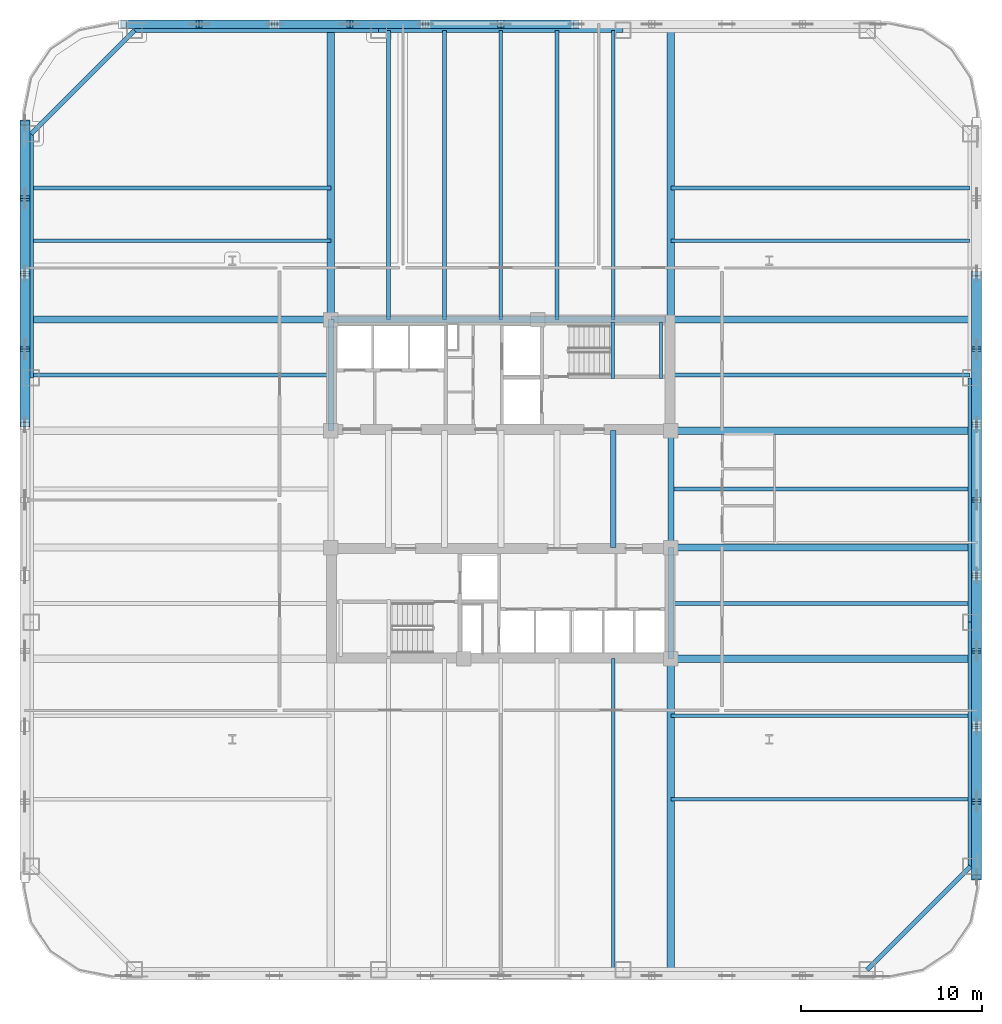
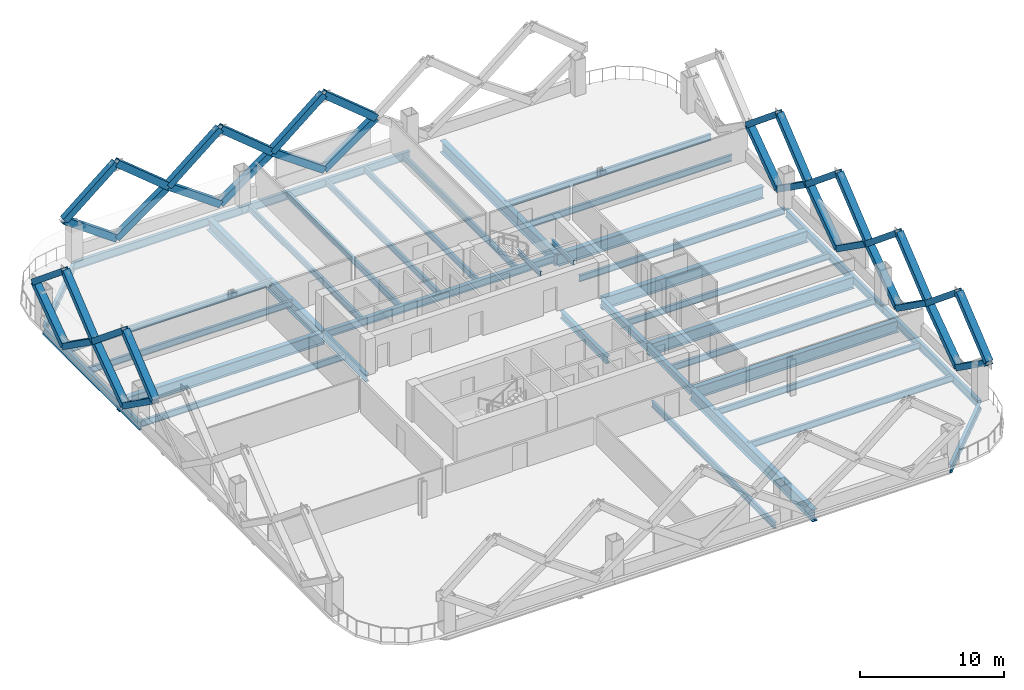
# One storey, part 2 of 12: 38 beams, 36 members.
"""IFC4 building model written with IfcOpenShell, lengths in metres."""

from ifc_helpers import new_model, si_unit, direction, frame, origin, origin_2d, place, context, subcontext, project, spatial, hollow_rectangle, i_section, extrude, material, material_profile, profile_set, type_object, element, save


model = new_model("IFC4")

# Units and contexts
model_context = context("Model", 3, precision=1e-05, world=origin(), true_north=direction((0.0, 1.0)))
body_context = subcontext(model_context, "Body", "Model", "MODEL_VIEW")
ifc_project = project(units=[si_unit("LENGTHUNIT", "METRE"), si_unit("AREAUNIT", "SQUARE_METRE"), si_unit("VOLUMEUNIT", "CUBIC_METRE"), si_unit("PLANEANGLEUNIT", "RADIAN"), si_unit("MASSUNIT", "GRAM", prefix="KILO")], contexts=[model_context])

# Site, building, storey
site_placement = place(None, origin())
site = spatial("IfcSite", under=ifc_project, at=site_placement, CompositionType="ELEMENT")
building_placement = place(site_placement, origin())
building = spatial("IfcBuilding", under=site, at=building_placement, Name="Qhalaya Broadcast Tower", CompositionType="ELEMENT")
storey_placement = place(building_placement, frame((0.0, 0.0, 50.5)))
storey = spatial("IfcBuildingStorey", under=building, at=storey_placement, Name="L14", CompositionType="ELEMENT", Elevation=50.5)

# Beams
ifc_material_1 = material(Name="Structural Steel ASTM A992 Grade 50", Category="steel")
ifc_material_profile_1 = material_profile(ifc_material_1, i_section(OverallWidth=0.2099609375, OverallDepth=0.535888671875, WebThickness=0.010986328125, FlangeThickness=0.017333984375, at=origin_2d()), Name="W21X68")
ifc_profile_set_1 = profile_set([ifc_material_profile_1], Name="Structural Steel ASTM A992 Grade 50")
beam_type_1 = type_object("IfcBeamType", Name="Composite Floor Joist J02", PredefinedType="JOIST", material=ifc_profile_set_1)
for number, where, z_axis, x_axis, name in (
    (1, (-6.199951171875, 9.949951171875, -0.488037109375), (0.0, 1.0, 0.0), (-1.0, 0.0, 0.0), "L14 J02 L14-JNN1-1"),
    (2, (-3.10009765625, 9.949951171875, -0.488037109375), (0.0, 1.0, 0.0), (-1.0, 0.0, 0.0), "L14 J02 L14-JNN2-1"),
    (3, (0.0, 9.949951171875, -0.488037109375), (0.0, 1.0, 0.0), (-1.0, 0.0, 0.0), "L14 J02 L14-JNN3-1"),
    (4, (3.10009765625, 9.949951171875, -0.488037109375), (0.0, 1.0, 0.0), (-1.0, 0.0, 0.0), "L14 J02 L14-JNN4-1"),
):
    element("IfcBeam", number, at=place(storey_placement, frame(where, z_axis=z_axis, x_axis=x_axis)), inside=storey, type_object=beam_type_1, Name=name, PredefinedType="JOIST", context=body_context, shape_type="SweptSolid", body=[
        extrude(i_section(OverallWidth=0.2099609375, OverallDepth=0.535888671875, WebThickness=0.010986328125, FlangeThickness=0.017333984375, at=origin_2d()), origin(), (0.0, 0.0, 1.0), 15.929931640625),
    ])
beam_1_placement = place(storey_placement, frame((6.199951171875, -25.8798828125, -0.488037109375), z_axis=(0.0, 1.0, 0.0), x_axis=(-1.0, 0.0, 0.0)))
element("IfcBeam", 5, at=beam_1_placement, inside=storey, type_object=beam_type_1, Name="L14 J02 L14-JNS5-1", PredefinedType="JOIST", context=body_context, shape_type="SweptSolid", body=[
    extrude(i_section(OverallWidth=0.2099609375, OverallDepth=0.535888671875, WebThickness=0.010986328125, FlangeThickness=0.017333984375, at=origin_2d()), origin(), (0.0, 0.0, 1.0), 17.1298828125),
])
beam_2_placement = place(storey_placement, frame((6.199951171875, 9.949951171875, -0.488037109375), z_axis=(0.0, 1.0, 0.0), x_axis=(-1.0, 0.0, 0.0)))
element("IfcBeam", 6, at=beam_2_placement, inside=storey, type_object=beam_type_1, Name="L14 J02 L14-JNN5-1", PredefinedType="JOIST", context=body_context, shape_type="SweptSolid", body=[
    extrude(i_section(OverallWidth=0.2099609375, OverallDepth=0.535888671875, WebThickness=0.010986328125, FlangeThickness=0.017333984375, at=origin_2d()), origin(), (0.0, 0.0, 1.0), 15.929931640625),
])
for number, where, z_axis, x_axis, name in (
    (7, (9.375, -16.5, -0.488037109375), (1.0, 0.0, 0.0), (0.0, 1.0, 0.0), "L14 J02 L14-JWE1E-1"),
    (8, (9.375, -11.89990234375, -0.488037109375), (1.0, 0.0, 0.0), (0.0, 1.0, 0.0), "L14 J02 L14-JWE2E-1"),
    (9, (9.375, -5.699951171875, -0.488037109375), (1.0, 0.0, 0.0), (0.0, 1.0, 0.0), "L14 J02 L14-JWE3E-1"),
    (10, (9.375, 0.60009765625, -0.488037109375), (1.0, 0.0, 0.0), (0.0, 1.0, 0.0), "L14 J02 L14-JWE4E-1"),
    (11, (-25.8798828125, 6.89990234375, -0.488037109375), (1.0, 0.0, 0.0), (0.0, 1.0, 0.0), "L14 J02 L14-JWE5W-1"),
    (12, (9.375, 6.89990234375, -0.488037109375), (1.0, 0.0, 0.0), (0.0, 1.0, 0.0), "L14 J02 L14-JWE5E-1"),
    (13, (-25.8798828125, 14.300048828125, -0.488037109375), (1.0, 0.0, 0.0), (0.0, 1.0, 0.0), "L14 J02 L14-JWE6W-1"),
    (14, (9.375, 14.300048828125, -0.488037109375), (1.0, 0.0, 0.0), (0.0, 1.0, 0.0), "L14 J02 L14-JWE6E-1"),
    (15, (-25.8798828125, 17.199951171875, -0.488037109375), (1.0, 0.0, 0.0), (0.0, 1.0, 0.0), "L14 J02 L14-JWE7W-1"),
    (16, (9.375, 17.199951171875, -0.488037109375), (1.0, 0.0, 0.0), (0.0, 1.0, 0.0), "L14 J02 L14-JWE7E-1"),
):
    element("IfcBeam", number, at=place(storey_placement, frame(where, z_axis=z_axis, x_axis=x_axis)), inside=storey, type_object=beam_type_1, Name=name, PredefinedType="JOIST", context=body_context, shape_type="SweptSolid", body=[
        extrude(i_section(OverallWidth=0.2099609375, OverallDepth=0.535888671875, WebThickness=0.010986328125, FlangeThickness=0.017333984375, at=origin_2d()), origin(), (0.0, 0.0, 1.0), 16.5048828125),
    ])
ifc_material_profile_2 = material_profile(ifc_material_1, i_section(OverallWidth=0.323974609375, OverallDepth=0.612060546875, WebThickness=0.0126953125, FlangeThickness=0.01904296875, at=origin_2d()), Name="W24X104")
ifc_profile_set_2 = profile_set([ifc_material_profile_2], Name="Structural Steel ASTM A992 Grade 50")
beam_type_2 = type_object("IfcBeamType", Name="Core Frame Tie Beam B04", PredefinedType="BEAM", material=ifc_profile_set_2)
beam_3_placement = place(storey_placement, frame((-9.375, 3.824951171875, -0.52587890625), z_axis=(0.0, 1.0, 0.0), x_axis=(-1.0, 0.0, 0.0)))
element("IfcBeam", 17, at=beam_3_placement, inside=storey, type_object=beam_type_2, Name="L14 B04 L14-CCN2", PredefinedType="BEAM", context=body_context, shape_type="SweptSolid", body=[
    extrude(i_section(OverallWidth=0.323974609375, OverallDepth=0.612060546875, WebThickness=0.0126953125, FlangeThickness=0.01904296875, at=origin_2d()), origin(), (0.0, 0.0, 1.0), 6.125),
])
beam_4_placement = place(storey_placement, frame((-9.375, 9.949951171875, -0.52587890625), z_axis=(1.0, 0.0, 0.0), x_axis=(0.0, 1.0, 0.0)))
element("IfcBeam", 18, at=beam_4_placement, inside=storey, type_object=beam_type_2, Name="L14 B04 L14-CCN3", PredefinedType="BEAM", context=body_context, shape_type="SweptSolid", body=[
    extrude(i_section(OverallWidth=0.323974609375, OverallDepth=0.612060546875, WebThickness=0.0126953125, FlangeThickness=0.01904296875, at=origin_2d()), origin(), (0.0, 0.0, 1.0), 18.4951171875),
])
beam_5_placement = place(storey_placement, frame((9.375, -8.75, -0.52587890625), z_axis=(0.0, 1.0, 0.0), x_axis=(-1.0, 0.0, 0.0)))
element("IfcBeam", 19, at=beam_5_placement, inside=storey, type_object=beam_type_2, Name="L14 B04 L14-CCS2", PredefinedType="BEAM", context=body_context, shape_type="SweptSolid", body=[
    extrude(i_section(OverallWidth=0.323974609375, OverallDepth=0.612060546875, WebThickness=0.0126953125, FlangeThickness=0.01904296875, at=origin_2d()), origin(), (0.0, 0.0, 1.0), 6.125),
])
for number, where, z_axis, x_axis, name in (
    (20, (9.375, -2.625, -0.52587890625), (0.0, 1.0, 0.0), (-1.0, 0.0, 0.0), "L14 B04 L14-CCE"),
    (21, (6.199951171875, -2.625, -0.52587890625), (0.0, 1.0, 0.0), (-1.0, 0.0, 0.0), "L14 B04 L14-JC5-1"),
):
    element("IfcBeam", number, at=place(storey_placement, frame(where, z_axis=z_axis, x_axis=x_axis)), inside=storey, type_object=beam_type_2, Name=name, PredefinedType="BEAM", context=body_context, shape_type="SweptSolid", body=[
        extrude(i_section(OverallWidth=0.323974609375, OverallDepth=0.612060546875, WebThickness=0.0126953125, FlangeThickness=0.01904296875, at=origin_2d()), origin(), (0.0, 0.0, 1.0), 6.449951171875),
    ])

# Members
ifc_material_2 = material(Name="Structural Steel ASTM A572 Grade 50", Category="steel")
ifc_material_profile_3 = material_profile(ifc_material_2, hollow_rectangle(XDim=0.449951171875, YDim=0.550048828125, WallThickness=0.031982421875, at=origin_2d()), Name="BOX 450x550x32")
ifc_profile_set_3 = profile_set([ifc_material_profile_3], Name="Structural Steel ASTM A572 Grade 50")
member_type = type_object("IfcMemberType", Name="Exoskeleton Diamond Diagonal Lower EX1", PredefinedType="BRACE", material=ifc_profile_set_3)
member_1_placement = place(storey_placement, frame((26.239990234375, -16.639892578125, 0.360107421875), z_axis=(0.0, -0.815730837628, 0.578431673184), x_axis=(0.0, 0.578431673184, 0.815730837628)))
element("IfcMember", 22, at=member_1_placement, inside=storey, type_object=member_type, Name="B1 Exoskeleton Diamond Brace E1-D1", PredefinedType="BRACE", context=body_context, shape_type="SweptSolid", body=[
    extrude(hollow_rectangle(XDim=0.449951171875, YDim=0.550048828125, WallThickness=0.031982421875, at=origin_2d()), origin(), (0.0, 0.0, 1.0), 5.099853515625),
])
member_2_placement = place(storey_placement, frame((26.239990234375, -16.639892578125, 0.360107421875), z_axis=(0.0, 0.815714819681, 0.578454261764), x_axis=(0.0, -0.578454261764, 0.815714819681)))
element("IfcMember", 23, at=member_2_placement, inside=storey, type_object=member_type, Name="B1 Exoskeleton Diamond Brace E1-D2", PredefinedType="BRACE", context=body_context, shape_type="SweptSolid", body=[
    extrude(hollow_rectangle(XDim=0.449951171875, YDim=0.550048828125, WallThickness=0.031982421875, at=origin_2d()), origin(), (0.0, 0.0, 1.0), 5.099609375),
])
member_3_placement = place(storey_placement, frame((26.239990234375, -20.800048828125, 3.31005859375), z_axis=(0.0, 0.771573287976, 0.636140441477), x_axis=(0.0, -0.636140441477, 0.771573287976)))
element("IfcMember", 24, at=member_3_placement, inside=storey, type_object=member_type, Name="B1 Exoskeleton Diamond Brace E1-D3", PredefinedType="BRACE", context=body_context, shape_type="SweptSolid", body=[
    extrude(hollow_rectangle(XDim=0.449951171875, YDim=0.550048828125, WallThickness=0.031982421875, at=origin_2d()), origin(), (0.0, 0.0, 1.0), 5.391845703125),
])
member_4_placement = place(storey_placement, frame((26.239990234375, -12.47998046875, 3.31005859375), z_axis=(0.0, -0.771554963297, 0.636162666786), x_axis=(0.0, 0.636162666786, 0.771554963297)))
element("IfcMember", 25, at=member_4_placement, inside=storey, type_object=member_type, Name="B1 Exoskeleton Diamond Brace E1-D4", PredefinedType="BRACE", context=body_context, shape_type="SweptSolid", body=[
    extrude(hollow_rectangle(XDim=0.449951171875, YDim=0.550048828125, WallThickness=0.031982421875, at=origin_2d()), origin(), (0.0, 0.0, 1.0), 5.3916015625),
])
member_5_placement = place(storey_placement, frame((26.239990234375, -8.320068359375, 0.360107421875), z_axis=(0.0, -0.815714819681, 0.578454261764), x_axis=(0.0, 0.578454261764, 0.815714819681)))
element("IfcMember", 26, at=member_5_placement, inside=storey, type_object=member_type, Name="B1 Exoskeleton Diamond Brace E2-D1", PredefinedType="BRACE", context=body_context, shape_type="SweptSolid", body=[
    extrude(hollow_rectangle(XDim=0.449951171875, YDim=0.550048828125, WallThickness=0.031982421875, at=origin_2d()), origin(), (0.0, 0.0, 1.0), 5.099609375),
])
member_6_placement = place(storey_placement, frame((26.239990234375, -8.320068359375, 0.360107421875), z_axis=(0.0, 0.815730837628, 0.578431673184), x_axis=(0.0, -0.578431673184, 0.815730837628)))
element("IfcMember", 27, at=member_6_placement, inside=storey, type_object=member_type, Name="B1 Exoskeleton Diamond Brace E2-D2", PredefinedType="BRACE", context=body_context, shape_type="SweptSolid", body=[
    extrude(hollow_rectangle(XDim=0.449951171875, YDim=0.550048828125, WallThickness=0.031982421875, at=origin_2d()), origin(), (0.0, 0.0, 1.0), 5.099853515625),
])
member_7_placement = place(storey_placement, frame((26.239990234375, -12.47998046875, 3.31005859375), z_axis=(0.0, 0.771554963297, 0.636162666786), x_axis=(0.0, -0.636162666786, 0.771554963297)))
element("IfcMember", 28, at=member_7_placement, inside=storey, type_object=member_type, Name="B1 Exoskeleton Diamond Brace E2-D3", PredefinedType="BRACE", context=body_context, shape_type="SweptSolid", body=[
    extrude(hollow_rectangle(XDim=0.449951171875, YDim=0.550048828125, WallThickness=0.031982421875, at=origin_2d()), origin(), (0.0, 0.0, 1.0), 5.3916015625),
])
member_8_placement = place(storey_placement, frame((26.239990234375, -4.159912109375, 3.31005859375), z_axis=(0.0, -0.771573287976, 0.636140441477), x_axis=(0.0, 0.636140441477, 0.771573287976)))
element("IfcMember", 29, at=member_8_placement, inside=storey, type_object=member_type, Name="B1 Exoskeleton Diamond Brace E2-D4", PredefinedType="BRACE", context=body_context, shape_type="SweptSolid", body=[
    extrude(hollow_rectangle(XDim=0.449951171875, YDim=0.550048828125, WallThickness=0.031982421875, at=origin_2d()), origin(), (0.0, 0.0, 1.0), 5.391845703125),
])
for number, where, z_axis, x_axis, name in (
    (30, (26.239990234375, 0.0, 0.360107421875), (0.0, -0.815714819681, 0.578454261764), (0.0, 0.578454261764, 0.815714819681), "B1 Exoskeleton Diamond Brace E3-D1"),
    (31, (26.239990234375, 0.0, 0.360107421875), (0.0, 0.815714819681, 0.578454261764), (0.0, -0.578454261764, 0.815714819681), "B1 Exoskeleton Diamond Brace E3-D2"),
):
    element("IfcMember", number, at=place(storey_placement, frame(where, z_axis=z_axis, x_axis=x_axis)), inside=storey, type_object=member_type, Name=name, PredefinedType="BRACE", context=body_context, shape_type="SweptSolid", body=[
        extrude(hollow_rectangle(XDim=0.449951171875, YDim=0.550048828125, WallThickness=0.031982421875, at=origin_2d()), origin(), (0.0, 0.0, 1.0), 5.099609375),
    ])
for number, where, z_axis, x_axis, name in (
    (32, (26.239990234375, -4.159912109375, 3.31005859375), (0.0, 0.771554963297, 0.636162666786), (0.0, -0.636162666786, 0.771554963297), "B1 Exoskeleton Diamond Brace E3-D3"),
    (33, (26.239990234375, 4.159912109375, 3.31005859375), (0.0, -0.771554963297, 0.636162666786), (0.0, 0.636162666786, 0.771554963297), "B1 Exoskeleton Diamond Brace E3-D4"),
):
    element("IfcMember", number, at=place(storey_placement, frame(where, z_axis=z_axis, x_axis=x_axis)), inside=storey, type_object=member_type, Name=name, PredefinedType="BRACE", context=body_context, shape_type="SweptSolid", body=[
        extrude(hollow_rectangle(XDim=0.449951171875, YDim=0.550048828125, WallThickness=0.031982421875, at=origin_2d()), origin(), (0.0, 0.0, 1.0), 5.3916015625),
    ])
member_9_placement = place(storey_placement, frame((26.239990234375, 8.320068359375, 0.360107421875), z_axis=(0.0, -0.815730837628, 0.578431673184), x_axis=(0.0, 0.578431673184, 0.815730837628)))
element("IfcMember", 34, at=member_9_placement, inside=storey, type_object=member_type, Name="B1 Exoskeleton Diamond Brace E4-D1", PredefinedType="BRACE", context=body_context, shape_type="SweptSolid", body=[
    extrude(hollow_rectangle(XDim=0.449951171875, YDim=0.550048828125, WallThickness=0.031982421875, at=origin_2d()), origin(), (0.0, 0.0, 1.0), 5.099853515625),
])
member_10_placement = place(storey_placement, frame((26.239990234375, 8.320068359375, 0.360107421875), z_axis=(0.0, 0.815714819681, 0.578454261764), x_axis=(0.0, -0.578454261764, 0.815714819681)))
element("IfcMember", 35, at=member_10_placement, inside=storey, type_object=member_type, Name="B1 Exoskeleton Diamond Brace E4-D2", PredefinedType="BRACE", context=body_context, shape_type="SweptSolid", body=[
    extrude(hollow_rectangle(XDim=0.449951171875, YDim=0.550048828125, WallThickness=0.031982421875, at=origin_2d()), origin(), (0.0, 0.0, 1.0), 5.099609375),
])
member_11_placement = place(storey_placement, frame((26.239990234375, 4.159912109375, 3.31005859375), z_axis=(0.0, 0.771573287976, 0.636140441477), x_axis=(0.0, -0.636140441477, 0.771573287976)))
element("IfcMember", 36, at=member_11_placement, inside=storey, type_object=member_type, Name="B1 Exoskeleton Diamond Brace E4-D3", PredefinedType="BRACE", context=body_context, shape_type="SweptSolid", body=[
    extrude(hollow_rectangle(XDim=0.449951171875, YDim=0.550048828125, WallThickness=0.031982421875, at=origin_2d()), origin(), (0.0, 0.0, 1.0), 5.391845703125),
])
member_12_placement = place(storey_placement, frame((26.239990234375, 12.47998046875, 3.31005859375), z_axis=(0.0, -0.771554963297, 0.636162666786), x_axis=(0.0, 0.636162666786, 0.771554963297)))
element("IfcMember", 37, at=member_12_placement, inside=storey, type_object=member_type, Name="B1 Exoskeleton Diamond Brace E4-D4", PredefinedType="BRACE", context=body_context, shape_type="SweptSolid", body=[
    extrude(hollow_rectangle(XDim=0.449951171875, YDim=0.550048828125, WallThickness=0.031982421875, at=origin_2d()), origin(), (0.0, 0.0, 1.0), 5.3916015625),
])
for number, where, z_axis, x_axis, name in (
    (38, (0.0, 26.239990234375, 0.360107421875), (0.815714819681, 0.0, 0.578454261764), (0.0, 1.0, 0.0), "B1 Exoskeleton Diamond Brace N3-D1"),
    (39, (0.0, 26.239990234375, 0.360107421875), (-0.815714819681, 0.0, 0.578454261764), (0.0, -1.0, 0.0), "B1 Exoskeleton Diamond Brace N3-D2"),
):
    element("IfcMember", number, at=place(storey_placement, frame(where, z_axis=z_axis, x_axis=x_axis)), inside=storey, type_object=member_type, Name=name, PredefinedType="BRACE", context=body_context, shape_type="SweptSolid", body=[
        extrude(hollow_rectangle(XDim=0.449951171875, YDim=0.550048828125, WallThickness=0.031982421875, at=origin_2d()), origin(), (0.0, 0.0, 1.0), 5.099609375),
    ])
for number, where, z_axis, x_axis, name in (
    (40, (4.159912109375, 26.239990234375, 3.31005859375), (-0.771554963297, 0.0, 0.636162666786), (0.0, -1.0, 0.0), "B1 Exoskeleton Diamond Brace N3-D3"),
    (41, (-4.159912109375, 26.239990234375, 3.31005859375), (0.771554963297, 0.0, 0.636162666786), (0.0, 1.0, 0.0), "B1 Exoskeleton Diamond Brace N3-D4"),
):
    element("IfcMember", number, at=place(storey_placement, frame(where, z_axis=z_axis, x_axis=x_axis)), inside=storey, type_object=member_type, Name=name, PredefinedType="BRACE", context=body_context, shape_type="SweptSolid", body=[
        extrude(hollow_rectangle(XDim=0.449951171875, YDim=0.550048828125, WallThickness=0.031982421875, at=origin_2d()), origin(), (0.0, 0.0, 1.0), 5.3916015625),
    ])
member_13_placement = place(storey_placement, frame((-8.320068359375, 26.239990234375, 0.360107421875), z_axis=(0.815730837628, 0.0, 0.578431673184), x_axis=(0.0, 1.0, 0.0)))
element("IfcMember", 42, at=member_13_placement, inside=storey, type_object=member_type, Name="B1 Exoskeleton Diamond Brace N4-D1", PredefinedType="BRACE", context=body_context, shape_type="SweptSolid", body=[
    extrude(hollow_rectangle(XDim=0.449951171875, YDim=0.550048828125, WallThickness=0.031982421875, at=origin_2d()), origin(), (0.0, 0.0, 1.0), 5.099853515625),
])
member_14_placement = place(storey_placement, frame((-8.320068359375, 26.239990234375, 0.360107421875), z_axis=(-0.815714819681, 0.0, 0.578454261764), x_axis=(0.0, -1.0, 0.0)))
element("IfcMember", 43, at=member_14_placement, inside=storey, type_object=member_type, Name="B1 Exoskeleton Diamond Brace N4-D2", PredefinedType="BRACE", context=body_context, shape_type="SweptSolid", body=[
    extrude(hollow_rectangle(XDim=0.449951171875, YDim=0.550048828125, WallThickness=0.031982421875, at=origin_2d()), origin(), (0.0, 0.0, 1.0), 5.099609375),
])
member_15_placement = place(storey_placement, frame((-4.159912109375, 26.239990234375, 3.31005859375), z_axis=(-0.771573287976, 0.0, 0.636140441477), x_axis=(0.0, -1.0, 0.0)))
element("IfcMember", 44, at=member_15_placement, inside=storey, type_object=member_type, Name="B1 Exoskeleton Diamond Brace N4-D3", PredefinedType="BRACE", context=body_context, shape_type="SweptSolid", body=[
    extrude(hollow_rectangle(XDim=0.449951171875, YDim=0.550048828125, WallThickness=0.031982421875, at=origin_2d()), origin(), (0.0, 0.0, 1.0), 5.391845703125),
])
member_16_placement = place(storey_placement, frame((-12.47998046875, 26.239990234375, 3.31005859375), z_axis=(0.771554963297, 0.0, 0.636162666786), x_axis=(0.0, 1.0, 0.0)))
element("IfcMember", 45, at=member_16_placement, inside=storey, type_object=member_type, Name="B1 Exoskeleton Diamond Brace N4-D4", PredefinedType="BRACE", context=body_context, shape_type="SweptSolid", body=[
    extrude(hollow_rectangle(XDim=0.449951171875, YDim=0.550048828125, WallThickness=0.031982421875, at=origin_2d()), origin(), (0.0, 0.0, 1.0), 5.3916015625),
])
member_17_placement = place(storey_placement, frame((-16.639892578125, 26.239990234375, 0.360107421875), z_axis=(0.815714819681, 0.0, 0.578454261764), x_axis=(0.0, 1.0, 0.0)))
element("IfcMember", 46, at=member_17_placement, inside=storey, type_object=member_type, Name="B1 Exoskeleton Diamond Brace N5-D1", PredefinedType="BRACE", context=body_context, shape_type="SweptSolid", body=[
    extrude(hollow_rectangle(XDim=0.449951171875, YDim=0.550048828125, WallThickness=0.031982421875, at=origin_2d()), origin(), (0.0, 0.0, 1.0), 5.099609375),
])
member_18_placement = place(storey_placement, frame((-16.639892578125, 26.239990234375, 0.360107421875), z_axis=(-0.815730837628, 0.0, 0.578431673184), x_axis=(0.0, -1.0, 0.0)))
element("IfcMember", 47, at=member_18_placement, inside=storey, type_object=member_type, Name="B1 Exoskeleton Diamond Brace N5-D2", PredefinedType="BRACE", context=body_context, shape_type="SweptSolid", body=[
    extrude(hollow_rectangle(XDim=0.449951171875, YDim=0.550048828125, WallThickness=0.031982421875, at=origin_2d()), origin(), (0.0, 0.0, 1.0), 5.099853515625),
])
member_19_placement = place(storey_placement, frame((-12.47998046875, 26.239990234375, 3.31005859375), z_axis=(-0.771554963297, 0.0, 0.636162666786), x_axis=(0.0, -1.0, 0.0)))
element("IfcMember", 48, at=member_19_placement, inside=storey, type_object=member_type, Name="B1 Exoskeleton Diamond Brace N5-D3", PredefinedType="BRACE", context=body_context, shape_type="SweptSolid", body=[
    extrude(hollow_rectangle(XDim=0.449951171875, YDim=0.550048828125, WallThickness=0.031982421875, at=origin_2d()), origin(), (0.0, 0.0, 1.0), 5.3916015625),
])
member_20_placement = place(storey_placement, frame((-20.800048828125, 26.239990234375, 3.31005859375), z_axis=(0.771573287976, 0.0, 0.636140441477), x_axis=(0.0, 1.0, 0.0)))
element("IfcMember", 49, at=member_20_placement, inside=storey, type_object=member_type, Name="B1 Exoskeleton Diamond Brace N5-D4", PredefinedType="BRACE", context=body_context, shape_type="SweptSolid", body=[
    extrude(hollow_rectangle(XDim=0.449951171875, YDim=0.550048828125, WallThickness=0.031982421875, at=origin_2d()), origin(), (0.0, 0.0, 1.0), 5.391845703125),
])
member_21_placement = place(storey_placement, frame((-26.239990234375, 16.639892578125, 0.360107421875), z_axis=(0.0, 0.815730837628, 0.578431673184), x_axis=(0.0, -0.578431673184, 0.815730837628)))
element("IfcMember", 50, at=member_21_placement, inside=storey, type_object=member_type, Name="B1 Exoskeleton Diamond Brace W1-D1", PredefinedType="BRACE", context=body_context, shape_type="SweptSolid", body=[
    extrude(hollow_rectangle(XDim=0.449951171875, YDim=0.550048828125, WallThickness=0.031982421875, at=origin_2d()), origin(), (0.0, 0.0, 1.0), 5.099853515625),
])
member_22_placement = place(storey_placement, frame((-26.239990234375, 16.639892578125, 0.360107421875), z_axis=(0.0, -0.815714819681, 0.578454261764), x_axis=(0.0, 0.578454261764, 0.815714819681)))
element("IfcMember", 51, at=member_22_placement, inside=storey, type_object=member_type, Name="B1 Exoskeleton Diamond Brace W1-D2", PredefinedType="BRACE", context=body_context, shape_type="SweptSolid", body=[
    extrude(hollow_rectangle(XDim=0.449951171875, YDim=0.550048828125, WallThickness=0.031982421875, at=origin_2d()), origin(), (0.0, 0.0, 1.0), 5.099609375),
])
member_23_placement = place(storey_placement, frame((-26.239990234375, 20.800048828125, 3.31005859375), z_axis=(0.0, -0.771573287976, 0.636140441477), x_axis=(0.0, 0.636140441477, 0.771573287976)))
element("IfcMember", 52, at=member_23_placement, inside=storey, type_object=member_type, Name="B1 Exoskeleton Diamond Brace W1-D3", PredefinedType="BRACE", context=body_context, shape_type="SweptSolid", body=[
    extrude(hollow_rectangle(XDim=0.449951171875, YDim=0.550048828125, WallThickness=0.031982421875, at=origin_2d()), origin(), (0.0, 0.0, 1.0), 5.391845703125),
])
member_24_placement = place(storey_placement, frame((-26.239990234375, 12.47998046875, 3.31005859375), z_axis=(0.0, 0.771554963297, 0.636162666786), x_axis=(0.0, -0.636162666786, 0.771554963297)))
element("IfcMember", 53, at=member_24_placement, inside=storey, type_object=member_type, Name="B1 Exoskeleton Diamond Brace W1-D4", PredefinedType="BRACE", context=body_context, shape_type="SweptSolid", body=[
    extrude(hollow_rectangle(XDim=0.449951171875, YDim=0.550048828125, WallThickness=0.031982421875, at=origin_2d()), origin(), (0.0, 0.0, 1.0), 5.3916015625),
])
member_25_placement = place(storey_placement, frame((-26.239990234375, 8.320068359375, 0.360107421875), z_axis=(0.0, 0.815714819681, 0.578454261764), x_axis=(0.0, -0.578454261764, 0.815714819681)))
element("IfcMember", 54, at=member_25_placement, inside=storey, type_object=member_type, Name="B1 Exoskeleton Diamond Brace W2-D1", PredefinedType="BRACE", context=body_context, shape_type="SweptSolid", body=[
    extrude(hollow_rectangle(XDim=0.449951171875, YDim=0.550048828125, WallThickness=0.031982421875, at=origin_2d()), origin(), (0.0, 0.0, 1.0), 5.099609375),
])
member_26_placement = place(storey_placement, frame((-26.239990234375, 8.320068359375, 0.360107421875), z_axis=(0.0, -0.815730837628, 0.578431673184), x_axis=(0.0, 0.578431673184, 0.815730837628)))
element("IfcMember", 55, at=member_26_placement, inside=storey, type_object=member_type, Name="B1 Exoskeleton Diamond Brace W2-D2", PredefinedType="BRACE", context=body_context, shape_type="SweptSolid", body=[
    extrude(hollow_rectangle(XDim=0.449951171875, YDim=0.550048828125, WallThickness=0.031982421875, at=origin_2d()), origin(), (0.0, 0.0, 1.0), 5.099853515625),
])
member_27_placement = place(storey_placement, frame((-26.239990234375, 12.47998046875, 3.31005859375), z_axis=(0.0, -0.771554963297, 0.636162666786), x_axis=(0.0, 0.636162666786, 0.771554963297)))
element("IfcMember", 56, at=member_27_placement, inside=storey, type_object=member_type, Name="B1 Exoskeleton Diamond Brace W2-D3", PredefinedType="BRACE", context=body_context, shape_type="SweptSolid", body=[
    extrude(hollow_rectangle(XDim=0.449951171875, YDim=0.550048828125, WallThickness=0.031982421875, at=origin_2d()), origin(), (0.0, 0.0, 1.0), 5.3916015625),
])
member_28_placement = place(storey_placement, frame((-26.239990234375, 4.159912109375, 3.31005859375), z_axis=(0.0, 0.771573287976, 0.636140441477), x_axis=(0.0, -0.636140441477, 0.771573287976)))
element("IfcMember", 57, at=member_28_placement, inside=storey, type_object=member_type, Name="B1 Exoskeleton Diamond Brace W2-D4", PredefinedType="BRACE", context=body_context, shape_type="SweptSolid", body=[
    extrude(hollow_rectangle(XDim=0.449951171875, YDim=0.550048828125, WallThickness=0.031982421875, at=origin_2d()), origin(), (0.0, 0.0, 1.0), 5.391845703125),
])

# Beams
ifc_material_profile_4 = material_profile(ifc_material_1, i_section(OverallWidth=0.40087890625, OverallDepth=1.010986328125, WebThickness=0.023681640625, FlangeThickness=0.0419921875, at=origin_2d()), Name="W40X297")
ifc_profile_set_4 = profile_set([ifc_material_profile_4], Name="Structural Steel ASTM A992 Grade 50")
beam_type_3 = type_object("IfcBeamType", Name="Lower Block Primary Girder PG2", PredefinedType="USERDEFINED", material=ifc_profile_set_4)
beam_6_placement = place(storey_placement, frame((-9.375, 9.949951171875, -0.7255859375), z_axis=(0.0, 1.0, 0.0), x_axis=(-1.0, 0.0, 0.0)))
element("IfcBeam", 58, at=beam_6_placement, inside=storey, type_object=beam_type_3, Name="L14 PG2 L14-PGXN1-1", ObjectType="GIRDER", PredefinedType="USERDEFINED", context=body_context, shape_type="SweptSolid", body=[
    extrude(i_section(OverallWidth=0.40087890625, OverallDepth=1.010986328125, WebThickness=0.023681640625, FlangeThickness=0.0419921875, at=origin_2d()), origin(), (0.0, 0.0, 1.0), 15.929931640625),
])
beam_7_placement = place(storey_placement, frame((9.375, -25.8798828125, -0.7255859375), z_axis=(0.0, 1.0, 0.0), x_axis=(-1.0, 0.0, 0.0)))
element("IfcBeam", 59, at=beam_7_placement, inside=storey, type_object=beam_type_3, Name="L14 PG2 L14-PGXS2-1", ObjectType="GIRDER", PredefinedType="USERDEFINED", context=body_context, shape_type="SweptSolid", body=[
    extrude(i_section(OverallWidth=0.40087890625, OverallDepth=1.010986328125, WebThickness=0.023681640625, FlangeThickness=0.0419921875, at=origin_2d()), origin(), (0.0, 0.0, 1.0), 17.1298828125),
])
beam_8_placement = place(storey_placement, frame((9.375, 9.949951171875, -0.7255859375), z_axis=(0.0, 1.0, 0.0), x_axis=(-1.0, 0.0, 0.0)))
element("IfcBeam", 60, at=beam_8_placement, inside=storey, type_object=beam_type_3, Name="L14 PG2 L14-PGXN2-1", ObjectType="GIRDER", PredefinedType="USERDEFINED", context=body_context, shape_type="SweptSolid", body=[
    extrude(i_section(OverallWidth=0.40087890625, OverallDepth=1.010986328125, WebThickness=0.023681640625, FlangeThickness=0.0419921875, at=origin_2d()), origin(), (0.0, 0.0, 1.0), 15.929931640625),
])
for number, where, z_axis, x_axis, name in (
    (61, (9.375, -8.75, -0.7255859375), (1.0, 0.0, 0.0), (0.0, 1.0, 0.0), "L14 PG2 L14-PGYE1-1"),
    (62, (9.375, -2.625, -0.7255859375), (1.0, 0.0, 0.0), (0.0, 1.0, 0.0), "L14 PG2 L14-PGYE2-1"),
    (63, (9.375, 3.824951171875, -0.7255859375), (1.0, 0.0, 0.0), (0.0, 1.0, 0.0), "L14 PG2 L14-PGYE3-1"),
    (64, (-25.8798828125, 9.949951171875, -0.7255859375), (1.0, 0.0, 0.0), (0.0, 1.0, 0.0), "L14 PG2 L14-PGYW4-1"),
    (65, (9.375, 9.949951171875, -0.7255859375), (1.0, 0.0, 0.0), (0.0, 1.0, 0.0), "L14 PG2 L14-PGYE4-1"),
):
    element("IfcBeam", number, at=place(storey_placement, frame(where, z_axis=z_axis, x_axis=x_axis)), inside=storey, type_object=beam_type_3, Name=name, ObjectType="GIRDER", PredefinedType="USERDEFINED", context=body_context, shape_type="SweptSolid", body=[
        extrude(i_section(OverallWidth=0.40087890625, OverallDepth=1.010986328125, WebThickness=0.023681640625, FlangeThickness=0.0419921875, at=origin_2d()), origin(), (0.0, 0.0, 1.0), 16.5048828125),
    ])
ifc_material_profile_5 = material_profile(ifc_material_1, i_section(OverallWidth=0.25390625, OverallDepth=0.68310546875, WebThickness=0.012451171875, FlangeThickness=0.01904296875, at=origin_2d()), Name="W27X94")
ifc_profile_set_5 = profile_set([ifc_material_profile_5], Name="Structural Steel ASTM A992 Grade 50")
beam_type_4 = type_object("IfcBeamType", Name="Perimeter Ring Spandrel Beam SP1", PredefinedType="SPANDREL", material=ifc_profile_set_5)
beam_9_placement = place(storey_placement, frame((20.199951171875, -25.89990234375, -0.5615234375), z_axis=(0.707106781187, 0.707106781187, 0.0), x_axis=(-0.707106781187, 0.707106781187, 0.0)))
element("IfcBeam", 66, at=beam_9_placement, inside=storey, type_object=beam_type_4, Name="L14 SP1 L14-SPR-04", PredefinedType="SPANDREL", context=body_context, shape_type="SweptSolid", body=[
    extrude(i_section(OverallWidth=0.25390625, OverallDepth=0.68310546875, WebThickness=0.012451171875, FlangeThickness=0.01904296875, at=origin_2d()), origin(), (0.0, 0.0, 1.0), 8.06103515625),
])
beam_10_placement = place(storey_placement, frame((25.89990234375, -20.199951171875, -0.5615234375), z_axis=(0.0, 1.0, 0.0), x_axis=(-1.0, 0.0, 0.0)))
element("IfcBeam", 67, at=beam_10_placement, inside=storey, type_object=beam_type_4, Name="L14 SP1 L14-SPR-05", PredefinedType="SPANDREL", context=body_context, shape_type="SweptSolid", body=[
    extrude(i_section(OverallWidth=0.25390625, OverallDepth=0.68310546875, WebThickness=0.012451171875, FlangeThickness=0.01904296875, at=origin_2d()), origin(), (0.0, 0.0, 1.0), 13.466552734375),
])
for number, where, z_axis, x_axis, name in (
    (68, (25.89990234375, -6.7333984375, -0.5615234375), (0.0, 1.0, 0.0), (-1.0, 0.0, 0.0), "L14 SP1 L14-SPR-06"),
    (69, (6.7333984375, 25.89990234375, -0.5615234375), (-1.0, 0.0, 0.0), (0.0, -1.0, 0.0), "L14 SP1 L14-SPR-10"),
):
    element("IfcBeam", number, at=place(storey_placement, frame(where, z_axis=z_axis, x_axis=x_axis)), inside=storey, type_object=beam_type_4, Name=name, PredefinedType="SPANDREL", context=body_context, shape_type="SweptSolid", body=[
        extrude(i_section(OverallWidth=0.25390625, OverallDepth=0.68310546875, WebThickness=0.012451171875, FlangeThickness=0.01904296875, at=origin_2d()), origin(), (0.0, 0.0, 1.0), 13.466796875),
    ])
beam_11_placement = place(storey_placement, frame((-6.7333984375, 25.89990234375, -0.5615234375), z_axis=(-1.0, 0.0, 0.0), x_axis=(0.0, -1.0, 0.0)))
element("IfcBeam", 70, at=beam_11_placement, inside=storey, type_object=beam_type_4, Name="L14 SP1 L14-SPR-11", PredefinedType="SPANDREL", context=body_context, shape_type="SweptSolid", body=[
    extrude(i_section(OverallWidth=0.25390625, OverallDepth=0.68310546875, WebThickness=0.012451171875, FlangeThickness=0.01904296875, at=origin_2d()), origin(), (0.0, 0.0, 1.0), 13.466552734375),
])
beam_12_placement = place(storey_placement, frame((-20.199951171875, 25.89990234375, -0.5615234375), z_axis=(-0.707106781187, -0.707106781187, 0.0), x_axis=(0.707106781187, -0.707106781187, 0.0)))
element("IfcBeam", 71, at=beam_12_placement, inside=storey, type_object=beam_type_4, Name="L14 SP1 L14-SPR-12", PredefinedType="SPANDREL", context=body_context, shape_type="SweptSolid", body=[
    extrude(i_section(OverallWidth=0.25390625, OverallDepth=0.68310546875, WebThickness=0.012451171875, FlangeThickness=0.01904296875, at=origin_2d()), origin(), (0.0, 0.0, 1.0), 8.06103515625),
])
beam_13_placement = place(storey_placement, frame((-25.89990234375, 20.199951171875, -0.5615234375), z_axis=(0.0, -1.0, 0.0), x_axis=(1.0, 0.0, 0.0)))
element("IfcBeam", 72, at=beam_13_placement, inside=storey, type_object=beam_type_4, Name="L14 SP1 L14-SPR-13", PredefinedType="SPANDREL", context=body_context, shape_type="SweptSolid", body=[
    extrude(i_section(OverallWidth=0.25390625, OverallDepth=0.68310546875, WebThickness=0.012451171875, FlangeThickness=0.01904296875, at=origin_2d()), origin(), (0.0, 0.0, 1.0), 13.466552734375),
])
ifc_material_profile_6 = material_profile(ifc_material_1, i_section(OverallWidth=0.177978515625, OverallDepth=0.406005859375, WebThickness=0.0078125, FlangeThickness=0.0126953125, at=origin_2d()), Name="W16X40")
ifc_profile_set_6 = profile_set([ifc_material_profile_6], Name="Structural Steel ASTM A992 Grade 50")
beam_type_5 = type_object("IfcBeamType", Name="Upper Perimeter Spandrel Beam SP2", PredefinedType="SPANDREL", material=ifc_profile_set_6)
for number, where, z_axis, x_axis, name in (
    (73, (6.175048828125, 6.699951171875, 1.1220703125), (0.0, 1.0, 0.0), (-1.0, 0.0, 0.0), "L14 ST-1 Half-Landing Bearer Beam 1"),
    (74, (8.830078125, 6.699951171875, 1.1220703125), (0.0, 1.0, 0.0), (-1.0, 0.0, 0.0), "L14 ST-1 Half-Landing Bearer Beam 2"),
):
    element("IfcBeam", number, at=place(storey_placement, frame(where, z_axis=z_axis, x_axis=x_axis)), inside=storey, type_object=beam_type_5, Name=name, PredefinedType="SPANDREL", context=body_context, shape_type="SweptSolid", body=[
        extrude(i_section(OverallWidth=0.177978515625, OverallDepth=0.406005859375, WebThickness=0.0078125, FlangeThickness=0.0126953125, at=origin_2d()), origin(), (0.0, 0.0, 1.0), 3.1201171875),
    ])

save(model, "model.ifc")
